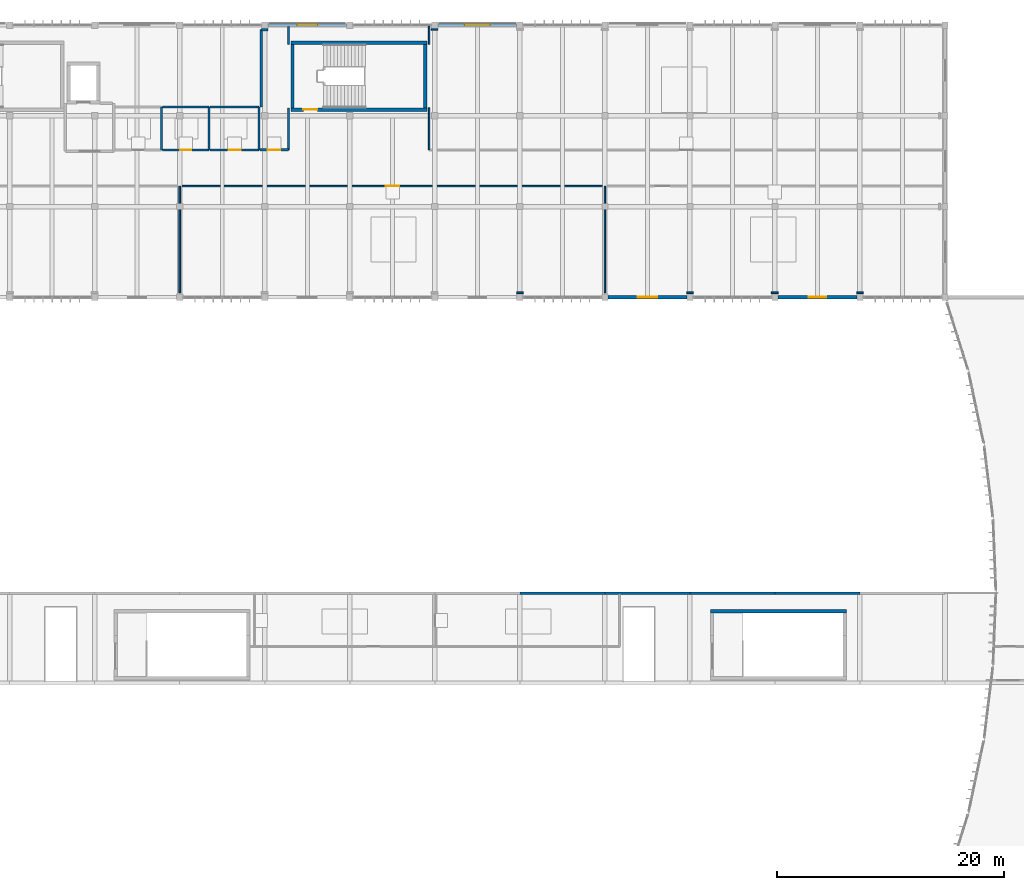
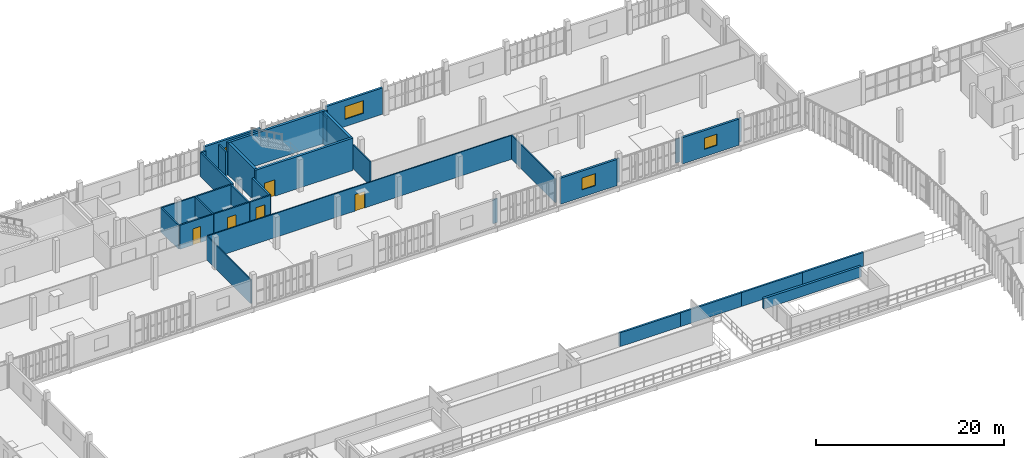
# One storey, part 44 of 61: 35 walls, 5 doors, 4 windows, 9 openings.
"""IFC4 building model written with IfcOpenShell, lengths in metres."""

from ifc_helpers import new_model, si_unit, direction, frame, frame_2d, origin, place, context, subcontext, project, spatial, rectangle, extrude, material, layer, layer_set, type_object, element, fill, save


model = new_model("IFC4")

# Units and contexts
model_context = context("Model", 3, precision=1e-05, world=origin(), true_north=direction((0.0, 1.0)))
body_context = subcontext(model_context, "Body", "Model", "MODEL_VIEW")
ifc_project = project(units=[si_unit("LENGTHUNIT", "METRE"), si_unit("AREAUNIT", "SQUARE_METRE"), si_unit("VOLUMEUNIT", "CUBIC_METRE"), si_unit("PLANEANGLEUNIT", "RADIAN"), si_unit("MASSUNIT", "GRAM", prefix="KILO")], contexts=[model_context])

# Site, building, storey
site_placement = place(None, origin())
site = spatial("IfcSite", under=ifc_project, at=site_placement, CompositionType="ELEMENT")
building_placement = place(site_placement, origin())
building = spatial("IfcBuilding", under=site, at=building_placement, Name="Vourika Railside Aquatics Centre", CompositionType="ELEMENT")
storey_placement = place(building_placement, frame((0.0, 0.0, 9.300048828125)))
storey = spatial("IfcBuildingStorey", under=building, at=storey_placement, Name="L02", CompositionType="ELEMENT", Elevation=9.300048828125)

# Wall, opening, door
ifc_material_1 = material(Name="Concrete C40/50", Category="concrete")
ifc_layer_1 = layer(ifc_material_1, 0.300048828125, Name="WL-CORE")
ifc_layer_set_1 = layer_set([ifc_layer_1], Name="Concrete C40/50")
wall_type_1 = type_object("IfcWallType", Name="WL-CORE", PredefinedType="SHEAR", material=ifc_layer_set_1)
wall_1_placement = place(storey_placement, frame((75.800048828125, 108.550048828125, 0.0), z_axis=(0.0, 0.0, 1.0), x_axis=(1.0, 0.0, 0.0)))
wall_1 = element("IfcWall", 1, at=wall_1_placement, inside=storey, type_object=wall_type_1, Name="Protected Exit Stair Core ST03 South Wall (L02)", PredefinedType="SHEAR", context=body_context, shape_type="SweptSolid", body=[
    extrude(rectangle(XDim=12.0, YDim=0.300048828125, at=frame_2d((6.0, 0.0))), origin(), (0.0, 0.0, 1.0), 4.199951171875),
])
opening_1_placement = place(wall_1_placement, frame((1.10009765625, 0.0, 0.0)))
opening_1 = element("IfcOpeningElement", 2, at=opening_1_placement, cuts=wall_1, Name="Opening DF02", PredefinedType="OPENING", context=body_context, shape_type="SweptSolid", body=[
    extrude(rectangle(XDim=1.25, YDim=2.14990234375, at=frame_2d((0.625, 1.074951171875))), frame((0.0, 0.16015625, 0.0), z_axis=(0.0, -1.0, 0.0), x_axis=(1.0, 0.0, 0.0)), (0.0, 0.0, 1.0), 0.320068359375),
])
ifc_material_2 = material(Name="Fire-rated wide exit stair door")
door_type_1 = type_object("IfcDoorType", Name="DR-FD60-125", OperationType="NOTDEFINED", PredefinedType="DOOR", material=ifc_material_2)
door_1_placement = place(opening_1_placement, origin())
door_1 = element("IfcDoor", 3, at=door_1_placement, inside=storey, type_object=door_type_1, Name="Protected Exit Stair Core ST03 Enclosure Fire Door (L02)", OperationType="SINGLE_SWING_RIGHT", OverallHeight=2.14990234375, OverallWidth=1.25, PredefinedType="DOOR", context=body_context, shape_type="SweptSolid", body=[
    extrude(rectangle(XDim=1.25, YDim=2.14990234375, at=frame_2d((0.625, 1.074951171875))), frame((0.0, 0.02490234375, 0.0), z_axis=(0.0, -1.0, 0.0), x_axis=(1.0, 0.0, 0.0)), (0.0, 0.0, 1.0), 0.050048828125),
])
fill(opening_1, door_1)

# Walls
wall_2_placement = place(storey_placement, frame((87.800048828125, 114.449951171875, 0.0), z_axis=(0.0, 0.0, 1.0), x_axis=(-1.0, 0.0, 0.0)))
element("IfcWall", 4, at=wall_2_placement, inside=storey, type_object=wall_type_1, Name="Protected Exit Stair Core ST03 North Wall (L02)", PredefinedType="SHEAR", context=body_context, shape_type="SweptSolid", body=[
    extrude(rectangle(XDim=12.0, YDim=0.300048828125, at=frame_2d((6.0, 0.0))), origin(), (0.0, 0.0, 1.0), 4.199951171875),
])
for number, where, z_axis, x_axis, name in (
    (5, (75.949951171875, 114.300048828125, 0.0), (0.0, 0.0, 1.0), (0.0, -1.0, 0.0), "Protected Exit Stair Core ST03 West Wall (L02)"),
    (6, (87.64990234375, 108.699951171875, 0.0), (0.0, 0.0, 1.0), (0.0, 1.0, 0.0), "Protected Exit Stair Core ST03 East Wall (L02)"),
):
    element("IfcWall", number, at=place(storey_placement, frame(where, z_axis=z_axis, x_axis=x_axis)), inside=storey, type_object=wall_type_1, Name=name, PredefinedType="SHEAR", context=body_context, shape_type="SweptSolid", body=[
        extrude(rectangle(XDim=5.60009765625, YDim=0.300048828125, at=frame_2d((2.800048828125, 0.0))), origin(), (0.0, 0.0, 1.0), 4.199951171875),
    ])
wall_3_placement = place(storey_placement, frame((124.800048828125, 64.300048828125, 0.0), z_axis=(0.0, 0.0, 1.0), x_axis=(-1.0, 0.0, 0.0)))
element("IfcWall", 7, at=wall_3_placement, inside=storey, type_object=wall_type_1, Name="Grandstand Vomitory Exit Stair ST10 North Wall (L02)", PredefinedType="SHEAR", context=body_context, shape_type="SweptSolid", body=[
    extrude(rectangle(XDim=12.0, YDim=0.300048828125, at=frame_2d((6.0, 0.0))), origin(), (0.0, 0.0, 1.0), 1.349853515625),
])

# Wall, opening, window
ifc_material_3 = material(Name="Precast concrete C40/50", Category="concrete")
ifc_layer_2 = layer(ifc_material_3, 0.27001953125, Name="WL-EXT-270")
ifc_layer_set_2 = layer_set([ifc_layer_2], Name="Precast concrete C40/50")
wall_type_2 = type_object("IfcWallType", Name="WL-EXT-270", PredefinedType="SOLIDWALL", material=ifc_layer_set_2)
wall_4_placement = place(storey_placement, frame((80.72509765625, 116.0, 0.0), z_axis=(0.0, 0.0, 1.0), x_axis=(-1.0, 0.0, 0.0)))
wall_4 = element("IfcWall", 8, at=wall_4_placement, inside=storey, type_object=wall_type_2, Name="North Boulevard Precast Bay L02-8", PredefinedType="SOLIDWALL", context=body_context, shape_type="SweptSolid", body=[
    extrude(rectangle(XDim=6.9501953125, YDim=0.27001953125, at=frame_2d((3.47509765625, 0.0))), origin(), (0.0, 0.0, 1.0), 3.419921875),
])
opening_2_placement = place(wall_4_placement, frame((2.574951171875, 0.0, 0.949951171875)))
opening_2 = element("IfcOpeningElement", 9, at=opening_2_placement, cuts=wall_4, Name="Opening W08", PredefinedType="OPENING", context=body_context, shape_type="SweptSolid", body=[
    extrude(rectangle(XDim=1.800048828125, YDim=1.5, at=frame_2d((0.89990234375, 0.75))), frame((0.0, 0.14501953125, 0.0), z_axis=(0.0, -1.0, 0.0), x_axis=(1.0, 0.0, 0.0)), (0.0, 0.0, 1.0), 0.2900390625),
])
ifc_material_4 = material(Name="Laminated solar-control glass", Category="glass")
window_type_1 = type_object("IfcWindowType", Name="WN-CLN-180x150", PartitioningType="SINGLE_PANEL", PredefinedType="WINDOW", material=ifc_material_4)
window_1_placement = place(opening_2_placement, origin())
window_1 = element("IfcWindow", 10, at=window_1_placement, inside=storey, type_object=window_type_1, Name="North Boulevard Studio Window L02-8", OverallHeight=1.5, OverallWidth=1.800048828125, PartitioningType="SINGLE_PANEL", PredefinedType="WINDOW", context=body_context, shape_type="SweptSolid", body=[
    extrude(rectangle(XDim=1.800048828125, YDim=1.5, at=frame_2d((0.89990234375, 0.75))), frame((0.0, 0.030029296875, 0.0), z_axis=(0.0, -1.0, 0.0), x_axis=(1.0, 0.0, 0.0)), (0.0, 0.0, 1.0), 0.06005859375),
])
fill(opening_2, window_1)

wall_5_placement = place(storey_placement, frame((95.72509765625, 116.0, 0.0), z_axis=(0.0, 0.0, 1.0), x_axis=(-1.0, 0.0, 0.0)))
wall_5 = element("IfcWall", 11, at=wall_5_placement, inside=storey, type_object=wall_type_2, Name="North Boulevard Precast Bay L02-10", PredefinedType="SOLIDWALL", context=body_context, shape_type="SweptSolid", body=[
    extrude(rectangle(XDim=6.9501953125, YDim=0.27001953125, at=frame_2d((3.47509765625, 0.0))), origin(), (0.0, 0.0, 1.0), 3.419921875),
])
opening_3_placement = place(wall_5_placement, frame((2.35009765625, 0.0, 0.949951171875)))
opening_3 = element("IfcOpeningElement", 12, at=opening_3_placement, cuts=wall_5, Name="Opening W10", PredefinedType="OPENING", context=body_context, shape_type="SweptSolid", body=[
    extrude(rectangle(XDim=2.25, YDim=1.64990234375, at=frame_2d((1.125, 0.824951171875))), frame((0.0, 0.14501953125, 0.0), z_axis=(0.0, -1.0, 0.0), x_axis=(1.0, 0.0, 0.0)), (0.0, 0.0, 1.0), 0.2900390625),
])
window_type_2 = type_object("IfcWindowType", Name="WN-LAB-225x165", PartitioningType="DOUBLE_PANEL_VERTICAL", PredefinedType="WINDOW", material=ifc_material_4)
window_2_placement = place(opening_3_placement, origin())
window_2 = element("IfcWindow", 13, at=window_2_placement, inside=storey, type_object=window_type_2, Name="North Boulevard Studio Window L02-10", OverallHeight=1.64990234375, OverallWidth=2.25, PartitioningType="SINGLE_PANEL", PredefinedType="WINDOW", context=body_context, shape_type="SweptSolid", body=[
    extrude(rectangle(XDim=2.25, YDim=1.64990234375, at=frame_2d((1.125, 0.824951171875))), frame((0.0, 0.030029296875, 0.0), z_axis=(0.0, -1.0, 0.0), x_axis=(1.0, 0.0, 0.0)), (0.0, 0.0, 1.0), 0.06005859375),
])
fill(opening_3, window_2)

wall_6_placement = place(storey_placement, frame((103.77490234375, 92.0, 0.0), z_axis=(0.0, 0.0, 1.0), x_axis=(1.0, 0.0, 0.0)))
wall_6 = element("IfcWall", 14, at=wall_6_placement, inside=storey, type_object=wall_type_2, Name="Courtyard Precast Wall L02-10", PredefinedType="SOLIDWALL", context=body_context, shape_type="SweptSolid", body=[
    extrude(rectangle(XDim=6.9501953125, YDim=0.27001953125, at=frame_2d((3.47509765625, 0.0))), origin(), (0.0, 0.0, 1.0), 3.409912109375),
])
opening_4_placement = place(wall_6_placement, frame((2.625, 0.0, 0.949951171875)))
opening_4 = element("IfcOpeningElement", 15, at=opening_4_placement, cuts=wall_6, Name="Opening W11", PredefinedType="OPENING", context=body_context, shape_type="SweptSolid", body=[
    extrude(rectangle(XDim=1.699951171875, YDim=1.550048828125, at=frame_2d((0.85009765625, 0.77490234375))), frame((0.0, 0.14501953125, 0.0), z_axis=(0.0, -1.0, 0.0), x_axis=(1.0, 0.0, 0.0)), (0.0, 0.0, 1.0), 0.2900390625),
])
window_type_3 = type_object("IfcWindowType", Name="WN-LAB-170x155", PartitioningType="SINGLE_PANEL", PredefinedType="WINDOW", material=ifc_material_4)
window_3_placement = place(opening_4_placement, origin())
window_3 = element("IfcWindow", 16, at=window_3_placement, inside=storey, type_object=window_type_3, Name="Courtyard Fitness Window L02-10", OverallHeight=1.550048828125, OverallWidth=1.699951171875, PartitioningType="SINGLE_PANEL", PredefinedType="WINDOW", context=body_context, shape_type="SweptSolid", body=[
    extrude(rectangle(XDim=1.699951171875, YDim=1.550048828125, at=frame_2d((0.85009765625, 0.77490234375))), frame((0.0, 0.030029296875, 0.0), z_axis=(0.0, -1.0, 0.0), x_axis=(1.0, 0.0, 0.0)), (0.0, 0.0, 1.0), 0.06005859375),
])
fill(opening_4, window_3)

wall_7_placement = place(storey_placement, frame((118.77490234375, 92.0, 0.0), z_axis=(0.0, 0.0, 1.0), x_axis=(1.0, 0.0, 0.0)))
wall_7 = element("IfcWall", 17, at=wall_7_placement, inside=storey, type_object=wall_type_2, Name="Courtyard Precast Wall L02-12", PredefinedType="SOLIDWALL", context=body_context, shape_type="SweptSolid", body=[
    extrude(rectangle(XDim=6.9501953125, YDim=0.27001953125, at=frame_2d((3.47509765625, 0.0))), origin(), (0.0, 0.0, 1.0), 3.409912109375),
])
opening_5_placement = place(wall_7_placement, frame((2.699951171875, 0.0, 0.949951171875)))
opening_5 = element("IfcOpeningElement", 18, at=opening_5_placement, cuts=wall_7, Name="Opening W09", PredefinedType="OPENING", context=body_context, shape_type="SweptSolid", body=[
    extrude(rectangle(XDim=1.550048828125, YDim=1.449951171875, at=frame_2d((0.77490234375, 0.72509765625))), frame((0.0, 0.14501953125, 0.0), z_axis=(0.0, -1.0, 0.0), x_axis=(1.0, 0.0, 0.0)), (0.0, 0.0, 1.0), 0.2900390625),
])
window_type_4 = type_object("IfcWindowType", Name="WN-CLN-155x145", PartitioningType="SINGLE_PANEL", PredefinedType="WINDOW", material=ifc_material_4)
window_4_placement = place(opening_5_placement, origin())
window_4 = element("IfcWindow", 19, at=window_4_placement, inside=storey, type_object=window_type_4, Name="Courtyard Fitness Window L02-12", OverallHeight=1.449951171875, OverallWidth=1.550048828125, PartitioningType="SINGLE_PANEL", PredefinedType="WINDOW", context=body_context, shape_type="SweptSolid", body=[
    extrude(rectangle(XDim=1.550048828125, YDim=1.449951171875, at=frame_2d((0.77490234375, 0.72509765625))), frame((0.0, 0.030029296875, 0.0), z_axis=(0.0, -1.0, 0.0), x_axis=(1.0, 0.0, 0.0)), (0.0, 0.0, 1.0), 0.06005859375),
])
fill(opening_5, window_4)

# Walls
ifc_layer_3 = layer(ifc_material_3, 0.22998046875, Name="WL-PAR-230")
ifc_layer_set_3 = layer_set([ifc_layer_3], Name="Precast concrete C40/50")
wall_type_3 = type_object("IfcWallType", Name="WL-PAR-230", PredefinedType="PARAPET", material=ifc_layer_set_3)
for number, where, z_axis, x_axis, name in (
    (20, (103.5, 65.8798828125, 0.0), (0.0, 0.0, 1.0), (-1.0, 0.0, 0.0), "Broadcast Catwalk North Spandrel 9"),
    (21, (111.0, 65.8798828125, 0.0), (0.0, 0.0, 1.0), (-1.0, 0.0, 0.0), "Broadcast Catwalk North Spandrel 10"),
    (22, (118.5, 65.8798828125, 0.0), (0.0, 0.0, 1.0), (-1.0, 0.0, 0.0), "Broadcast Catwalk North Spandrel 11"),
    (23, (126.0, 65.8798828125, 0.0), (0.0, 0.0, 1.0), (-1.0, 0.0, 0.0), "Broadcast Catwalk North Spandrel 12"),
):
    element("IfcWall", number, at=place(storey_placement, frame(where, z_axis=z_axis, x_axis=x_axis)), inside=storey, type_object=wall_type_3, Name=name, PredefinedType="PARAPET", context=body_context, shape_type="SweptSolid", body=[
        extrude(rectangle(XDim=7.5, YDim=0.22998046875, at=frame_2d((3.75, 0.0))), origin(), (0.0, 0.0, 1.0), 1.800048828125),
    ])
ifc_material_5 = material(Name="Clinical hygienic partition")
ifc_layer_4 = layer(ifc_material_5, 0.139892578125, Name="WL-PART-140")
ifc_layer_set_4 = layer_set([ifc_layer_4], Name="Clinical hygienic partition")
wall_type_4 = type_object("IfcWallType", Name="WL-PART-140", PredefinedType="PARTITIONING", material=ifc_layer_set_4)
wall_8_placement = place(storey_placement, frame((66.0, 101.800048828125, 0.0), z_axis=(0.0, 0.0, 1.0), x_axis=(0.0, -1.0, 0.0)))
element("IfcWall", 24, at=wall_8_placement, inside=storey, type_object=wall_type_4, Name="Sports Physiotherapy Rehabilitation Hall Partition 4", PredefinedType="PARTITIONING", context=body_context, shape_type="SweptSolid", body=[
    extrude(rectangle(XDim=9.400146484375, YDim=0.139892578125, at=frame_2d((4.7001953125, 0.0))), origin(), (0.0, 0.0, 1.0), 3.119873046875),
])

# Wall, opening, door
wall_9_placement = place(storey_placement, frame((66.050048828125, 101.800048828125, 0.0), z_axis=(0.0, 0.0, 1.0), x_axis=(1.0, 0.0, 0.0)))
wall_9 = element("IfcWall", 25, at=wall_9_placement, inside=storey, type_object=wall_type_4, Name="Aquatic Biomechanics Motion-Capture Laboratory Partition 1", PredefinedType="PARTITIONING", context=body_context, shape_type="SweptSolid", body=[
    extrude(rectangle(XDim=37.449951171875, YDim=0.139892578125, at=frame_2d((18.72509765625, 0.0))), origin(), (0.0, 0.0, 1.0), 3.119873046875),
])
opening_6_placement = place(wall_9_placement, frame((18.125, 0.0, 0.0)))
opening_6 = element("IfcOpeningElement", 26, at=opening_6_placement, cuts=wall_9, Name="Opening DI03", PredefinedType="OPENING", context=body_context, shape_type="SweptSolid", body=[
    extrude(rectangle(XDim=1.199951171875, YDim=2.14990234375, at=frame_2d((0.60009765625, 1.074951171875))), frame((0.0, 0.080078125, 0.0), z_axis=(0.0, -1.0, 0.0), x_axis=(1.0, 0.0, 0.0)), (0.0, 0.0, 1.0), 0.159912109375),
])
ifc_material_6 = material(Name="Wide sports-medicine clinical door")
door_type_2 = type_object("IfcDoorType", Name="DR-INT-1200", OperationType="NOTDEFINED", PredefinedType="DOOR", material=ifc_material_6)
door_2_placement = place(opening_6_placement, origin())
door_2 = element("IfcDoor", 27, at=door_2_placement, inside=storey, type_object=door_type_2, Name="Aquatic Biomechanics Motion-Capture Laboratory Door", OperationType="SINGLE_SWING_RIGHT", OverallHeight=2.14990234375, OverallWidth=1.199951171875, PredefinedType="DOOR", context=body_context, shape_type="SweptSolid", body=[
    extrude(rectangle(XDim=1.199951171875, YDim=2.14990234375, at=frame_2d((0.60009765625, 1.074951171875))), frame((0.0, 0.02490234375, 0.0), z_axis=(0.0, -1.0, 0.0), x_axis=(1.0, 0.0, 0.0)), (0.0, 0.0, 1.0), 0.050048828125),
])
fill(opening_6, door_2)

# Walls
wall_10_placement = place(storey_placement, frame((103.5, 101.800048828125, 0.0), z_axis=(0.0, 0.0, 1.0), x_axis=(0.0, -1.0, 0.0)))
element("IfcWall", 28, at=wall_10_placement, inside=storey, type_object=wall_type_4, Name="Aquatic Biomechanics Motion-Capture Laboratory Partition 3", PredefinedType="PARTITIONING", context=body_context, shape_type="SweptSolid", body=[
    extrude(rectangle(XDim=9.400146484375, YDim=0.139892578125, at=frame_2d((4.7001953125, 0.0))), origin(), (0.0, 0.0, 1.0), 3.119873046875),
])
for number, where, z_axis, x_axis, name in (
    (29, (96.304931640625, 92.39990234375, 0.0), (0.0, 0.0, 1.0), (-1.0, 0.0, 0.0), "Aquatic Biomechanics Motion-Capture Laboratory Partition 4"),
    (30, (126.304931640625, 92.39990234375, 0.0), (0.0, 0.0, 1.0), (-1.0, 0.0, 0.0), "Exercise Physiology and VO2 Testing Laboratory Partition 4"),
    (31, (118.77490234375, 92.39990234375, 0.0), (0.0, 0.0, 1.0), (-1.0, 0.0, 0.0), "Exercise Physiology and VO2 Testing Laboratory Partition 5"),
    (32, (111.304931640625, 92.39990234375, 0.0), (0.0, 0.0, 1.0), (-1.0, 0.0, 0.0), "Exercise Physiology and VO2 Testing Laboratory Partition 6"),
):
    element("IfcWall", number, at=place(storey_placement, frame(where, z_axis=z_axis, x_axis=x_axis)), inside=storey, type_object=wall_type_4, Name=name, PredefinedType="PARTITIONING", context=body_context, shape_type="SweptSolid", body=[
        extrude(rectangle(XDim=0.579833984375, YDim=0.139892578125, at=frame_2d((0.2900390625, 0.0))), origin(), (0.0, 0.0, 1.0), 3.119873046875),
    ])
wall_11_placement = place(storey_placement, frame((88.0, 105.0, 0.0), z_axis=(0.0, 0.0, 1.0), x_axis=(0.0, 1.0, 0.0)))
element("IfcWall", 33, at=wall_11_placement, inside=storey, type_object=wall_type_4, Name="Rehabilitation Gait and Isokinetic Laboratory Partition 2", PredefinedType="PARTITIONING", context=body_context, shape_type="SweptSolid", body=[
    extrude(rectangle(XDim=3.699951171875, YDim=0.139892578125, at=frame_2d((1.85009765625, 0.0))), origin(), (0.0, 0.0, 1.0), 3.119873046875),
])
wall_12_placement = place(storey_placement, frame((88.0, 114.300048828125, 0.0), z_axis=(0.0, 0.0, 1.0), x_axis=(0.0, 1.0, 0.0)))
element("IfcWall", 34, at=wall_12_placement, inside=storey, type_object=wall_type_4, Name="Rehabilitation Gait and Isokinetic Laboratory Partition 4", PredefinedType="PARTITIONING", context=body_context, shape_type="SweptSolid", body=[
    extrude(rectangle(XDim=1.64501953125, YDim=0.139892578125, at=frame_2d((0.822509765625, 0.0))), origin(), (0.0, 0.0, 1.0), 3.119873046875),
])
wall_13_placement = place(storey_placement, frame((88.195068359375, 115.60009765625, 0.0), z_axis=(0.0, 0.0, 1.0), x_axis=(1.0, 0.0, 0.0)))
element("IfcWall", 35, at=wall_13_placement, inside=storey, type_object=wall_type_4, Name="Rehabilitation Gait and Isokinetic Laboratory Partition 5", PredefinedType="PARTITIONING", context=body_context, shape_type="SweptSolid", body=[
    extrude(rectangle(XDim=0.579833984375, YDim=0.139892578125, at=frame_2d((0.2900390625, 0.0))), origin(), (0.0, 0.0, 1.0), 3.119873046875),
])
ifc_material_7 = material(Name="Moisture-resistant wet-village blockwork", Category="masonry")
ifc_layer_5 = layer(ifc_material_7, 0.179931640625, Name="WL-PART-180")
ifc_layer_set_5 = layer_set([ifc_layer_5], Name="Moisture-resistant wet-village blockwork")
wall_type_5 = type_object("IfcWallType", Name="WL-PART-180", PredefinedType="PARTITIONING", material=ifc_layer_set_5)
wall_14_placement = place(storey_placement, frame((64.39990234375, 108.800048828125, 0.0), z_axis=(0.0, 0.0, 1.0), x_axis=(0.0, -1.0, 0.0)))
element("IfcWall", 36, at=wall_14_placement, inside=storey, type_object=wall_type_5, Name="Media and Lab Male WC Partition 2", PredefinedType="PARTITIONING", context=body_context, shape_type="SweptSolid", body=[
    extrude(rectangle(XDim=3.800048828125, YDim=0.179931640625, at=frame_2d((1.89990234375, 0.0))), origin(), (0.0, 0.0, 1.0), 3.119873046875),
])

# Wall, opening, door
wall_15_placement = place(storey_placement, frame((68.60009765625, 105.0, 0.0), z_axis=(0.0, 0.0, 1.0), x_axis=(-1.0, 0.0, 0.0)))
wall_15 = element("IfcWall", 37, at=wall_15_placement, inside=storey, type_object=wall_type_5, Name="Media and Lab Female WC Partition 1", PredefinedType="PARTITIONING", context=body_context, shape_type="SweptSolid", body=[
    extrude(rectangle(XDim=4.130126953125, YDim=0.179931640625, at=frame_2d((2.06494140625, 0.0))), origin(), (0.0, 0.0, 1.0), 3.119873046875),
])
opening_7_placement = place(wall_15_placement, frame((1.590087890625, 0.0, 0.0)))
opening_7 = element("IfcOpeningElement", 38, at=opening_7_placement, cuts=wall_15, Name="Opening DW01", PredefinedType="OPENING", context=body_context, shape_type="SweptSolid", body=[
    extrude(rectangle(XDim=0.949951171875, YDim=2.10009765625, at=frame_2d((0.47509765625, 1.050048828125))), frame((0.0, 0.10009765625, 0.0), z_axis=(0.0, -1.0, 0.0), x_axis=(1.0, 0.0, 0.0)), (0.0, 0.0, 1.0), 0.199951171875),
])
ifc_material_8 = material(Name="Moisture-resistant HPL washroom door")
door_type_3 = type_object("IfcDoorType", Name="DR-WC-950", OperationType="NOTDEFINED", PredefinedType="DOOR", material=ifc_material_8)
door_3_placement = place(opening_7_placement, origin())
door_3 = element("IfcDoor", 39, at=door_3_placement, inside=storey, type_object=door_type_3, Name="Media and Lab Female WC Door", OperationType="SINGLE_SWING_RIGHT", OverallHeight=2.10009765625, OverallWidth=0.949951171875, PredefinedType="DOOR", context=body_context, shape_type="SweptSolid", body=[
    extrude(rectangle(XDim=0.949951171875, YDim=2.10009765625, at=frame_2d((0.47509765625, 1.050048828125))), frame((0.0, 0.02490234375, 0.0), z_axis=(0.0, -1.0, 0.0), x_axis=(1.0, 0.0, 0.0)), (0.0, 0.0, 1.0), 0.050048828125),
])
fill(opening_7, door_3)

# Walls
wall_16_placement = place(storey_placement, frame((68.60009765625, 108.800048828125, 0.0), z_axis=(0.0, 0.0, 1.0), x_axis=(0.0, -1.0, 0.0)))
element("IfcWall", 40, at=wall_16_placement, inside=storey, type_object=wall_type_5, Name="Media and Lab Female WC Partition 3", PredefinedType="PARTITIONING", context=body_context, shape_type="SweptSolid", body=[
    extrude(rectangle(XDim=3.800048828125, YDim=0.179931640625, at=frame_2d((1.89990234375, 0.0))), origin(), (0.0, 0.0, 1.0), 3.119873046875),
])
wall_17_placement = place(storey_placement, frame((64.469970703125, 108.800048828125, 0.0), z_axis=(0.0, 0.0, 1.0), x_axis=(1.0, 0.0, 0.0)))
element("IfcWall", 41, at=wall_17_placement, inside=storey, type_object=wall_type_5, Name="Media and Lab Female WC Partition 4", PredefinedType="PARTITIONING", context=body_context, shape_type="SweptSolid", body=[
    extrude(rectangle(XDim=4.130126953125, YDim=0.179931640625, at=frame_2d((2.06494140625, 0.0))), origin(), (0.0, 0.0, 1.0), 3.119873046875),
])

# Wall, opening, door
wall_18_placement = place(storey_placement, frame((73.0, 105.0, 0.0), z_axis=(0.0, 0.0, 1.0), x_axis=(-1.0, 0.0, 0.0)))
wall_18 = element("IfcWall", 42, at=wall_18_placement, inside=storey, type_object=wall_type_5, Name="Media and Lab Accessible WC Partition 1", PredefinedType="PARTITIONING", context=body_context, shape_type="SweptSolid", body=[
    extrude(rectangle(XDim=4.330078125, YDim=0.179931640625, at=frame_2d((2.1650390625, 0.0))), origin(), (0.0, 0.0, 1.0), 3.119873046875),
])
opening_8_placement = place(wall_18_placement, frame((1.639892578125, 0.0, 0.0)))
opening_8 = element("IfcOpeningElement", 43, at=opening_8_placement, cuts=wall_18, Name="Opening DW02", PredefinedType="OPENING", context=body_context, shape_type="SweptSolid", body=[
    extrude(rectangle(XDim=1.050048828125, YDim=2.10009765625, at=frame_2d((0.52490234375, 1.050048828125))), frame((0.0, 0.10009765625, 0.0), z_axis=(0.0, -1.0, 0.0), x_axis=(1.0, 0.0, 0.0)), (0.0, 0.0, 1.0), 0.199951171875),
])
ifc_material_9 = material(Name="Accessible WC outward-assist door")
door_type_4 = type_object("IfcDoorType", Name="DR-WCA-1050", OperationType="NOTDEFINED", PredefinedType="DOOR", material=ifc_material_9)
door_4_placement = place(opening_8_placement, origin())
door_4 = element("IfcDoor", 44, at=door_4_placement, inside=storey, type_object=door_type_4, Name="Media and Lab Accessible WC Door", OperationType="SINGLE_SWING_LEFT", OverallHeight=2.10009765625, OverallWidth=1.050048828125, PredefinedType="DOOR", context=body_context, shape_type="SweptSolid", body=[
    extrude(rectangle(XDim=1.050048828125, YDim=2.10009765625, at=frame_2d((0.52490234375, 1.050048828125))), frame((0.0, 0.02490234375, 0.0), z_axis=(0.0, -1.0, 0.0), x_axis=(1.0, 0.0, 0.0)), (0.0, 0.0, 1.0), 0.050048828125),
])
fill(opening_8, door_4)

# Walls
wall_19_placement = place(storey_placement, frame((73.0, 108.800048828125, 0.0), z_axis=(0.0, 0.0, 1.0), x_axis=(0.0, -1.0, 0.0)))
element("IfcWall", 45, at=wall_19_placement, inside=storey, type_object=wall_type_5, Name="Media and Lab Accessible WC Partition 3", PredefinedType="PARTITIONING", context=body_context, shape_type="SweptSolid", body=[
    extrude(rectangle(XDim=3.800048828125, YDim=0.179931640625, at=frame_2d((1.89990234375, 0.0))), origin(), (0.0, 0.0, 1.0), 3.119873046875),
])
wall_20_placement = place(storey_placement, frame((68.669921875, 108.800048828125, 0.0), z_axis=(0.0, 0.0, 1.0), x_axis=(1.0, 0.0, 0.0)))
element("IfcWall", 46, at=wall_20_placement, inside=storey, type_object=wall_type_5, Name="Media and Lab Accessible WC Partition 4", PredefinedType="PARTITIONING", context=body_context, shape_type="SweptSolid", body=[
    extrude(rectangle(XDim=4.330078125, YDim=0.179931640625, at=frame_2d((2.1650390625, 0.0))), origin(), (0.0, 0.0, 1.0), 3.119873046875),
])

# Wall, opening, door
ifc_material_10 = material(Name="Acoustic masonry blockwork", Category="masonry")
ifc_layer_6 = layer(ifc_material_10, 0.199951171875, Name="WL-PART-200")
ifc_layer_set_6 = layer_set([ifc_layer_6], Name="Acoustic masonry blockwork")
wall_type_6 = type_object("IfcWallType", Name="WL-PART-200", PredefinedType="PARTITIONING", material=ifc_layer_set_6)
wall_21_placement = place(storey_placement, frame((75.60009765625, 105.0, 0.0), z_axis=(0.0, 0.0, 1.0), x_axis=(-1.0, 0.0, 0.0)))
wall_21 = element("IfcWall", 47, at=wall_21_placement, inside=storey, type_object=wall_type_6, Name="Calibration and Telemetry Equipment Store Partition 1", PredefinedType="PARTITIONING", context=body_context, shape_type="SweptSolid", body=[
    extrude(rectangle(XDim=2.530029296875, YDim=0.199951171875, at=frame_2d((1.26513671875, 0.0))), origin(), (0.0, 0.0, 1.0), 3.119873046875),
])
opening_9_placement = place(wall_21_placement, frame((0.715087890625, 0.0, 0.0)))
opening_9 = element("IfcOpeningElement", 48, at=opening_9_placement, cuts=wall_21, Name="Opening DF01", PredefinedType="OPENING", context=body_context, shape_type="SweptSolid", body=[
    extrude(rectangle(XDim=1.10009765625, YDim=2.14990234375, at=frame_2d((0.550048828125, 1.074951171875))), frame((0.0, 0.10986328125, 0.0), z_axis=(0.0, -1.0, 0.0), x_axis=(1.0, 0.0, 0.0)), (0.0, 0.0, 1.0), 0.219970703125),
])
ifc_material_11 = material(Name="Fire-rated steel and timber core door", Category="steel")
door_type_5 = type_object("IfcDoorType", Name="DR-FD60", OperationType="NOTDEFINED", PredefinedType="DOOR", material=ifc_material_11)
door_5_placement = place(opening_9_placement, origin())
door_5 = element("IfcDoor", 49, at=door_5_placement, inside=storey, type_object=door_type_5, Name="Calibration and Telemetry Equipment Store Door", OperationType="SINGLE_SWING_LEFT", OverallHeight=2.14990234375, OverallWidth=1.10009765625, PredefinedType="DOOR", context=body_context, shape_type="SweptSolid", body=[
    extrude(rectangle(XDim=1.10009765625, YDim=2.14990234375, at=frame_2d((0.550048828125, 1.074951171875))), frame((0.0, 0.02490234375, 0.0), z_axis=(0.0, -1.0, 0.0), x_axis=(1.0, 0.0, 0.0)), (0.0, 0.0, 1.0), 0.050048828125),
])
fill(opening_9, door_5)

# Walls
wall_22_placement = place(storey_placement, frame((75.60009765625, 108.699951171875, 0.0), z_axis=(0.0, 0.0, 1.0), x_axis=(0.0, -1.0, 0.0)))
element("IfcWall", 50, at=wall_22_placement, inside=storey, type_object=wall_type_6, Name="Calibration and Telemetry Equipment Store Partition 2", PredefinedType="PARTITIONING", context=body_context, shape_type="SweptSolid", body=[
    extrude(rectangle(XDim=3.699951171875, YDim=0.199951171875, at=frame_2d((1.85009765625, 0.0))), origin(), (0.0, 0.0, 1.0), 3.119873046875),
])
wall_23_placement = place(storey_placement, frame((73.199951171875, 108.800048828125, 0.0), z_axis=(0.0, 0.0, 1.0), x_axis=(0.0, 1.0, 0.0)))
element("IfcWall", 51, at=wall_23_placement, inside=storey, type_object=wall_type_6, Name="Calibration and Telemetry Equipment Store Partition 4", PredefinedType="PARTITIONING", context=body_context, shape_type="SweptSolid", body=[
    extrude(rectangle(XDim=6.800048828125, YDim=0.199951171875, at=frame_2d((3.39990234375, 0.0))), origin(), (0.0, 0.0, 1.0), 3.119873046875),
])
wall_24_placement = place(storey_placement, frame((75.60009765625, 115.885009765625, 0.0), z_axis=(0.0, 0.0, 1.0), x_axis=(0.0, -1.0, 0.0)))
element("IfcWall", 52, at=wall_24_placement, inside=storey, type_object=wall_type_6, Name="Calibration and Telemetry Equipment Store Partition 5", PredefinedType="PARTITIONING", context=body_context, shape_type="SweptSolid", body=[
    extrude(rectangle(XDim=1.5849609375, YDim=0.199951171875, at=frame_2d((0.79248046875, 0.0))), origin(), (0.0, 0.0, 1.0), 3.119873046875),
])
wall_25_placement = place(storey_placement, frame((73.199951171875, 115.60009765625, 0.0), z_axis=(0.0, 0.0, 1.0), x_axis=(1.0, 0.0, 0.0)))
element("IfcWall", 53, at=wall_25_placement, inside=storey, type_object=wall_type_6, Name="Calibration and Telemetry Equipment Store Partition 6", PredefinedType="PARTITIONING", context=body_context, shape_type="SweptSolid", body=[
    extrude(rectangle(XDim=0.574951171875, YDim=0.199951171875, at=frame_2d((0.28759765625, 0.0))), origin(), (0.0, 0.0, 1.0), 3.119873046875),
])

save(model, "model.ifc")
